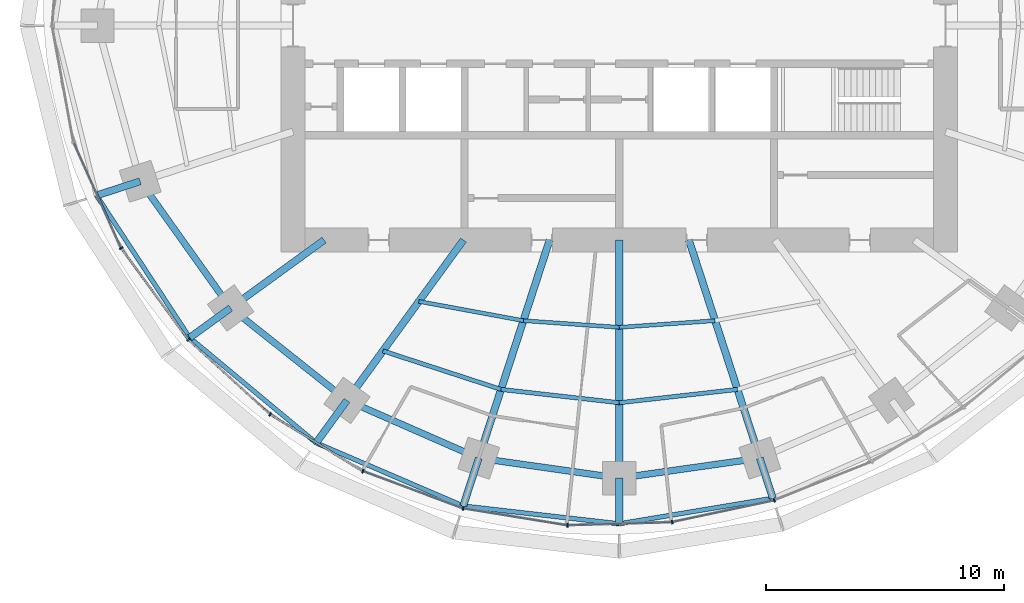
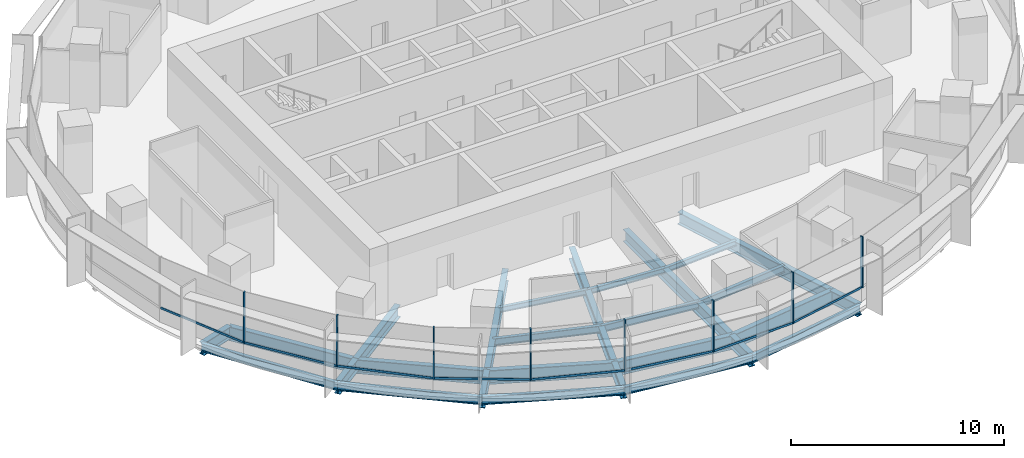
# One storey, part 2 of 15: 27 beams, 16 members, 2 elements without a shape of their own.
"""IFC4 building model written with IfcOpenShell, lengths in metres."""

from ifc_helpers import new_model, si_unit, direction, frame, origin, origin_2d, place, context, subcontext, project, spatial, rectangle, i_section, extrude, material, material_profile, profile_set, type_object, element, aggregate, save


model = new_model("IFC4")

# Units and contexts
model_context = context("Model", 3, precision=1e-05, world=origin(), true_north=direction((0.0, 1.0)))
body_context = subcontext(model_context, "Body", "Model", "MODEL_VIEW")
ifc_project = project(units=[si_unit("LENGTHUNIT", "METRE"), si_unit("AREAUNIT", "SQUARE_METRE"), si_unit("VOLUMEUNIT", "CUBIC_METRE"), si_unit("PLANEANGLEUNIT", "RADIAN"), si_unit("MASSUNIT", "GRAM", prefix="KILO")], contexts=[model_context])

# Site, building, storey
site_placement = place(None, origin())
site = spatial("IfcSite", under=ifc_project, at=site_placement, CompositionType="ELEMENT")
building_placement = place(site_placement, origin())
building = spatial("IfcBuilding", under=site, at=building_placement, Name="Marramba Exchange Tower", CompositionType="ELEMENT")
storey_placement = place(building_placement, frame((0.0, 0.0, 187.699951171875)))
storey = spatial("IfcBuildingStorey", under=building, at=storey_placement, Name="L45", CompositionType="ELEMENT", Elevation=187.699951171875)

# Beams
ifc_material_1 = material(Name="Steel AS/NZS 3679.2 grade 300", Category="steel")
ifc_material_profile_1 = material_profile(ifc_material_1, i_section(OverallWidth=0.300048828125, OverallDepth=0.699951171875, WebThickness=0.010009765625, FlangeThickness=0.031982421875, at=origin_2d()), Name="700WB173")
ifc_profile_set_1 = profile_set([ifc_material_profile_1], Name="Steel AS/NZS 3679.2 grade 300")
beam_type_1 = type_object("IfcBeamType", Name="Cantilever girder 700WB173", PredefinedType="BEAM", material=ifc_profile_set_1)
beam_1_placement = place(storey_placement, frame((-20.109375, -6.533935546875, -0.510009765625), z_axis=(-0.951071238541, -0.308971680287, 0.0), x_axis=(0.308971680287, -0.951071238541, 0.0)))
element("IfcBeam", 1, at=beam_1_placement, inside=storey, type_object=beam_type_1, Name="Cantilever girder L45 TC12", PredefinedType="BEAM", context=body_context, shape_type="SweptSolid", body=[
    extrude(i_section(OverallWidth=0.300048828125, OverallDepth=0.699951171875, WebThickness=0.010009765625, FlangeThickness=0.031982421875, at=origin_2d()), origin(), (0.0, 0.0, 1.0), 1.930419921875),
])
beam_2_placement = place(storey_placement, frame((-16.3154296875, -11.853759765625, -0.510009765625), z_axis=(-0.808969966943, -0.587849974555, 0.0), x_axis=(0.587849974555, -0.808969966943, 0.0)))
element("IfcBeam", 2, at=beam_2_placement, inside=storey, type_object=beam_type_1, Name="Cantilever girder L45 TC13", PredefinedType="BEAM", context=body_context, shape_type="SweptSolid", body=[
    extrude(i_section(OverallWidth=0.300048828125, OverallDepth=0.699951171875, WebThickness=0.010009765625, FlangeThickness=0.031982421875, at=origin_2d()), origin(), (0.0, 0.0, 1.0), 2.12109375),
])
beam_3_placement = place(storey_placement, frame((-11.430419921875, -15.732666015625, -0.510009765625), z_axis=(-0.587789596657, -0.809013837992, 0.0), x_axis=(0.809013837992, -0.587789596657, 0.0)))
element("IfcBeam", 3, at=beam_3_placement, inside=storey, type_object=beam_type_1, Name="Cantilever girder L45 TC14", PredefinedType="BEAM", context=body_context, shape_type="SweptSolid", body=[
    extrude(i_section(OverallWidth=0.300048828125, OverallDepth=0.699951171875, WebThickness=0.010009765625, FlangeThickness=0.031982421875, at=origin_2d()), origin(), (0.0, 0.0, 1.0), 2.203857421875),
])
beam_4_placement = place(storey_placement, frame((-5.899658203125, -18.156982421875, -0.510009765625), z_axis=(-0.308971068529, -0.951071437281, 0.0), x_axis=(0.951071437281, -0.308971068529, 0.0)))
element("IfcBeam", 4, at=beam_4_placement, inside=storey, type_object=beam_type_1, Name="Cantilever girder L45 TC15", PredefinedType="BEAM", context=body_context, shape_type="SweptSolid", body=[
    extrude(i_section(OverallWidth=0.300048828125, OverallDepth=0.699951171875, WebThickness=0.010009765625, FlangeThickness=0.031982421875, at=origin_2d()), origin(), (0.0, 0.0, 1.0), 2.112060546875),
])
beam_5_placement = place(storey_placement, frame((0.0, -18.99609375, -0.510009765625), z_axis=(0.0, -1.0, 0.0), x_axis=(1.0, 0.0, 0.0)))
element("IfcBeam", 5, at=beam_5_placement, inside=storey, type_object=beam_type_1, Name="Cantilever girder L45 TC16", PredefinedType="BEAM", context=body_context, shape_type="SweptSolid", body=[
    extrude(i_section(OverallWidth=0.300048828125, OverallDepth=0.699951171875, WebThickness=0.010009765625, FlangeThickness=0.031982421875, at=origin_2d()), origin(), (0.0, 0.0, 1.0), 1.917724609375),
])
beam_6_placement = place(storey_placement, frame((5.899658203125, -18.156982421875, -0.510009765625), z_axis=(0.308926813415, -0.951085813138, 0.0), x_axis=(0.951085813138, 0.308926813415, 0.0)))
element("IfcBeam", 6, at=beam_6_placement, inside=storey, type_object=beam_type_1, Name="Cantilever girder L45 TC17", PredefinedType="BEAM", context=body_context, shape_type="SweptSolid", body=[
    extrude(i_section(OverallWidth=0.300048828125, OverallDepth=0.699951171875, WebThickness=0.010009765625, FlangeThickness=0.031982421875, at=origin_2d()), origin(), (0.0, 0.0, 1.0), 1.767822265625),
])
ifc_material_2 = material(Name="Steel AS/NZS 3679.1 grade 300", Category="steel")
ifc_material_profile_2 = material_profile(ifc_material_2, i_section(OverallWidth=0.166015625, OverallDepth=0.306884765625, WebThickness=0.006591796875, FlangeThickness=0.01171875, FilletRadius=0.011474609375, at=origin_2d()), Name="310UB46.2")
ifc_profile_set_2 = profile_set([ifc_material_profile_2], Name="Steel AS/NZS 3679.1 grade 300")
beam_type_2 = type_object("IfcBeamType", Name="Floor joist 310UB46.2", PredefinedType="JOIST", material=ifc_profile_set_2)
beam_7_placement = place(storey_placement, frame((-8.41162109375, -11.57763671875, -0.3134765625), z_axis=(0.983455754421, -0.181148500119, 0.0), x_axis=(0.181148500119, 0.983455754421, 0.0)))
element("IfcBeam", 7, at=beam_7_placement, inside=storey, type_object=beam_type_2, Name="Joist L45 bay 14 row 1", PredefinedType="JOIST", context=body_context, shape_type="SweptSolid", body=[
    extrude(i_section(OverallWidth=0.166015625, OverallDepth=0.306884765625, WebThickness=0.006591796875, FlangeThickness=0.01171875, FilletRadius=0.011474609375, at=origin_2d()), origin(), (0.0, 0.0, 1.0), 4.4609375),
])
for number, where, z_axis, x_axis, name in (
    (8, (-4.0244140625, -12.3857421875, -0.3134765625), (0.99759625901, -0.069294328838, 0.0), (0.069294328838, 0.99759625901, 0.0), "Joist L45 bay 15 row 1"),
    (9, (0.0, -12.665283203125, -0.3134765625), (0.99759625901, 0.069294328838, 0.0), (-0.069294328838, 0.99759625901, 0.0), "Joist L45 bay 16 row 1"),
):
    element("IfcBeam", number, at=place(storey_placement, frame(where, z_axis=z_axis, x_axis=x_axis)), inside=storey, type_object=beam_type_2, Name=name, PredefinedType="JOIST", context=body_context, shape_type="SweptSolid", body=[
        extrude(i_section(OverallWidth=0.166015625, OverallDepth=0.306884765625, WebThickness=0.006591796875, FlangeThickness=0.01171875, FilletRadius=0.011474609375, at=origin_2d()), origin(), (0.0, 0.0, 1.0), 4.0341796875),
    ])
ifc_material_profile_3 = material_profile(ifc_material_2, i_section(OverallWidth=0.177978515625, OverallDepth=0.406005859375, WebThickness=0.0078125, FlangeThickness=0.0126953125, FilletRadius=0.011474609375, at=origin_2d()), Name="410UB59.7")
ifc_profile_set_3 = profile_set([ifc_material_profile_3], Name="Steel AS/NZS 3679.1 grade 300")
beam_type_3 = type_object("IfcBeamType", Name="Floor joist 410UB59.7", PredefinedType="JOIST", material=ifc_profile_set_3)
beam_8_placement = place(storey_placement, frame((-9.9208984375, -13.655029296875, -0.363037109375), z_axis=(0.950764024931, -0.309915744834, 0.0), x_axis=(0.309915744834, 0.950764024931, 0.0)))
element("IfcBeam", 10, at=beam_8_placement, inside=storey, type_object=beam_type_3, Name="Joist L45 bay 14 row 2", PredefinedType="JOIST", context=body_context, shape_type="SweptSolid", body=[
    extrude(i_section(OverallWidth=0.177978515625, OverallDepth=0.406005859375, WebThickness=0.0078125, FlangeThickness=0.0126953125, FilletRadius=0.011474609375, at=origin_2d()), origin(), (0.0, 0.0, 1.0), 5.2158203125),
])
for number, where, z_axis, x_axis, name in (
    (11, (-4.9619140625, -15.271484375, -0.363037109375), (0.993712018573, -0.111966174106, 0.0), (0.111966174106, 0.993712018573, 0.0), "Joist L45 bay 15 row 2"),
    (12, (0.0, -15.83056640625, -0.363037109375), (0.993712018573, 0.111966174106, 0.0), (-0.111966174106, 0.993712018573, 0.0), "Joist L45 bay 16 row 2"),
):
    element("IfcBeam", number, at=place(storey_placement, frame(where, z_axis=z_axis, x_axis=x_axis)), inside=storey, type_object=beam_type_3, Name=name, PredefinedType="JOIST", context=body_context, shape_type="SweptSolid", body=[
        extrude(i_section(OverallWidth=0.177978515625, OverallDepth=0.406005859375, WebThickness=0.0078125, FlangeThickness=0.0126953125, FilletRadius=0.011474609375, at=origin_2d()), origin(), (0.0, 0.0, 1.0), 4.993408203125),
    ])

# Curtain wall, members
ifc_material_3 = material(Name="Aluminium framing, bronze anodised", Category="aluminium")
curtain_wall_type = type_object("IfcCurtainWallType", Name="Office ribbon curtain wall", PredefinedType="USERDEFINED", material=ifc_material_3)
curtain_wall_1_placement = place(storey_placement, origin())
curtain_wall_1 = element("IfcCurtainWall", 13, at=curtain_wall_1_placement, inside=storey, type_object=curtain_wall_type, Name="Curtain wall CW4 L45 F16-F20", ObjectType="RIBBON CURTAIN WALL", PredefinedType="USERDEFINED")
ifc_material_4 = material(Name="Aluminium mullion, bronze anodised", Category="aluminium")
ifc_material_profile_4 = material_profile(ifc_material_4, rectangle(XDim=0.159912109375, YDim=0.06005859375, at=origin_2d()), Name="CW4 mullion 60x160")
ifc_profile_set_4 = profile_set([ifc_material_profile_4], Name="Aluminium mullion, bronze anodised")
member_type_1 = type_object("IfcMemberType", Name="Office ribbon curtain wall mullion", PredefinedType="MULLION", material=ifc_profile_set_4)
member_1_placement = place(storey_placement, frame((-20.910400390625, -9.342041015625, 0.800048828125), z_axis=(0.0, 0.0, 1.0), x_axis=(0.806508054547, 0.591223103363, 0.0)))
member_1 = element("IfcMember", 14, at=member_1_placement, type_object=member_type_1, Name="CW4 mullion 1", PredefinedType="MULLION", context=body_context, shape_type="SweptSolid", body=[
    extrude(rectangle(XDim=0.159912109375, YDim=0.06005859375, at=origin_2d()), origin(), (0.0, 0.0, 1.0), 2.93994140625),
])
member_2_placement = place(storey_placement, frame((-18.090087890625, -13.179443359375, 0.800048828125), z_axis=(0.0, 0.0, 1.0), x_axis=(0.67567103474, 0.737203264245, 0.0)))
member_2 = element("IfcMember", 15, at=member_2_placement, type_object=member_type_1, Name="CW4 mullion 1", PredefinedType="MULLION", context=body_context, shape_type="SweptSolid", body=[
    extrude(rectangle(XDim=0.159912109375, YDim=0.06005859375, at=origin_2d()), origin(), (0.0, 0.0, 1.0), 2.93994140625),
])
member_3_placement = place(storey_placement, frame((-14.655029296875, -16.320068359375, 0.800048828125), z_axis=(0.0, 0.0, 1.0), x_axis=(0.52305160869, 0.85230101176, 0.0)))
member_3 = element("IfcMember", 16, at=member_3_placement, type_object=member_type_1, Name="CW4 mullion 1", PredefinedType="MULLION", context=body_context, shape_type="SweptSolid", body=[
    extrude(rectangle(XDim=0.159912109375, YDim=0.06005859375, at=origin_2d()), origin(), (0.0, 0.0, 1.0), 2.93994140625),
])

curtain_wall_2_placement = place(storey_placement, origin())
curtain_wall_2 = element("IfcCurtainWall", 17, at=curtain_wall_2_placement, inside=storey, type_object=curtain_wall_type, Name="Curtain wall CW4 L45 F21-F25", ObjectType="RIBBON CURTAIN WALL", PredefinedType="USERDEFINED")
member_4_placement = place(storey_placement, frame((-10.76318359375, -18.70166015625, 0.800048828125), z_axis=(0.0, 0.0, 1.0), x_axis=(0.349459197687, 0.936951583142, 0.0)))
member_4 = element("IfcMember", 18, at=member_4_placement, type_object=member_type_1, Name="CW4 mullion 1", PredefinedType="MULLION", context=body_context, shape_type="SweptSolid", body=[
    extrude(rectangle(XDim=0.159912109375, YDim=0.06005859375, at=origin_2d()), origin(), (0.0, 0.0, 1.0), 2.93994140625),
])
member_5_placement = place(storey_placement, frame((-6.553466796875, -20.265625, 0.800048828125), z_axis=(0.0, 0.0, 1.0), x_axis=(0.161145726194, 0.986930623159, 0.0)))
member_5 = element("IfcMember", 19, at=member_5_placement, type_object=member_type_1, Name="CW4 mullion 1", PredefinedType="MULLION", context=body_context, shape_type="SweptSolid", body=[
    extrude(rectangle(XDim=0.159912109375, YDim=0.06005859375, at=origin_2d()), origin(), (0.0, 0.0, 1.0), 2.93994140625),
])
member_6_placement = place(storey_placement, frame((-2.174560546875, -20.974853515625, 0.800048828125), z_axis=(0.0, 0.0, 1.0), x_axis=(-0.029393451762, 0.99956791915, 0.0)))
member_6 = element("IfcMember", 20, at=member_6_placement, type_object=member_type_1, Name="CW4 mullion 1", PredefinedType="MULLION", context=body_context, shape_type="SweptSolid", body=[
    extrude(rectangle(XDim=0.159912109375, YDim=0.06005859375, at=origin_2d()), origin(), (0.0, 0.0, 1.0), 2.93994140625),
])
member_7_placement = place(storey_placement, frame((2.220458984375, -20.840087890625, 0.800048828125), z_axis=(0.0, 0.0, 1.0), x_axis=(-0.208332456608, 0.978058069607, 0.0)))
member_7 = element("IfcMember", 21, at=member_7_placement, type_object=member_type_1, Name="CW4 mullion 1", PredefinedType="MULLION", context=body_context, shape_type="SweptSolid", body=[
    extrude(rectangle(XDim=0.159912109375, YDim=0.06005859375, at=origin_2d()), origin(), (0.0, 0.0, 1.0), 2.93994140625),
])
member_8_placement = place(storey_placement, frame((6.504638671875, -19.922607421875, 0.800048828125), z_axis=(0.0, 0.0, 1.0), x_axis=(-0.367374724195, 0.93007301435, 0.0)))
member_8 = element("IfcMember", 22, at=member_8_placement, type_object=member_type_1, Name="CW4 mullion 1", PredefinedType="MULLION", context=body_context, shape_type="SweptSolid", body=[
    extrude(rectangle(XDim=0.159912109375, YDim=0.06005859375, at=origin_2d()), origin(), (0.0, 0.0, 1.0), 2.93994140625),
])

# Member
ifc_material_5 = material(Name="Aluminium transom, bronze anodised", Category="aluminium")
ifc_material_profile_5 = material_profile(ifc_material_5, rectangle(XDim=0.06005859375, YDim=0.1201171875, at=origin_2d()), Name="CW4 transom 60x120")
ifc_profile_set_5 = profile_set([ifc_material_profile_5], Name="Aluminium transom, bronze anodised")
member_type_2 = type_object("IfcMemberType", Name="Office ribbon curtain wall transom", PredefinedType="USERDEFINED", material=ifc_profile_set_5)
member_9_placement = place(storey_placement, frame((-22.888671875, -4.925048828125, 0.830078125), z_axis=(0.407541263131, -0.913186792965, 0.0), x_axis=(0.913186792965, 0.407541263131, 0.0)))
member_9 = element("IfcMember", 23, at=member_9_placement, type_object=member_type_2, Name="CW4 sill transom", ObjectType="TRANSOM", PredefinedType="USERDEFINED", context=body_context, shape_type="SweptSolid", body=[
    extrude(rectangle(XDim=0.06005859375, YDim=0.1201171875, at=origin_2d()), origin(), (0.0, 0.0, 1.0), 4.810546875),
])

member_10_placement = place(storey_placement, frame((-20.892578125, -9.3662109375, 0.830078125), z_axis=(0.591226373184, -0.806505657545, 0.0), x_axis=(0.806505657545, 0.591226373184, 0.0)))
member_10 = element("IfcMember", 24, at=member_10_placement, type_object=member_type_2, Name="CW4 sill transom", ObjectType="TRANSOM", PredefinedType="USERDEFINED", context=body_context, shape_type="SweptSolid", body=[
    extrude(rectangle(XDim=0.06005859375, YDim=0.1201171875, at=origin_2d()), origin(), (0.0, 0.0, 1.0), 4.702880859375),
])

member_11_placement = place(storey_placement, frame((-18.06787109375, -13.19970703125, 0.830078125), z_axis=(0.737176195283, -0.675700567639, 0.0), x_axis=(0.675700567639, 0.737176195283, 0.0)))
member_11 = element("IfcMember", 25, at=member_11_placement, type_object=member_type_2, Name="CW4 sill transom", ObjectType="TRANSOM", PredefinedType="USERDEFINED", context=body_context, shape_type="SweptSolid", body=[
    extrude(rectangle(XDim=0.06005859375, YDim=0.1201171875, at=origin_2d()), origin(), (0.0, 0.0, 1.0), 4.5947265625),
])

member_12_placement = place(storey_placement, frame((-14.62939453125, -16.335693359375, 0.830078125), z_axis=(0.852298011003, -0.523056498325, 0.0), x_axis=(0.523056498325, 0.852298011003, 0.0)))
member_12 = element("IfcMember", 26, at=member_12_placement, type_object=member_type_2, Name="CW4 sill transom", ObjectType="TRANSOM", PredefinedType="USERDEFINED", context=body_context, shape_type="SweptSolid", body=[
    extrude(rectangle(XDim=0.06005859375, YDim=0.1201171875, at=origin_2d()), origin(), (0.0, 0.0, 1.0), 4.503173828125),
])

aggregate(curtain_wall_1, [member_9, member_1, member_10, member_2, member_11, member_3, member_12])

member_13_placement = place(storey_placement, frame((-10.735107421875, -18.712158203125, 0.830078125), z_axis=(0.936954830677, -0.349450490444, 0.0), x_axis=(0.349450490444, 0.936954830677, 0.0)))
member_13 = element("IfcMember", 27, at=member_13_placement, type_object=member_type_2, Name="CW4 sill transom", ObjectType="TRANSOM", PredefinedType="USERDEFINED", context=body_context, shape_type="SweptSolid", body=[
    extrude(rectangle(XDim=0.06005859375, YDim=0.1201171875, at=origin_2d()), origin(), (0.0, 0.0, 1.0), 4.431396484375),
])

member_14_placement = place(storey_placement, frame((-6.52392578125, -20.2705078125, 0.830078125), z_axis=(0.986937225488, -0.161105285282, 0.0), x_axis=(0.161105285282, 0.986937225488, 0.0)))
member_14 = element("IfcMember", 28, at=member_14_placement, type_object=member_type_2, Name="CW4 sill transom", ObjectType="TRANSOM", PredefinedType="USERDEFINED", context=body_context, shape_type="SweptSolid", body=[
    extrude(rectangle(XDim=0.06005859375, YDim=0.1201171875, at=origin_2d()), origin(), (0.0, 0.0, 1.0), 4.37646484375),
])

member_15_placement = place(storey_placement, frame((-2.144775390625, -20.973876953125, 0.830078125), z_axis=(0.999568338005, 0.029379204529, 0.0), x_axis=(-0.029379204529, 0.999568338005, 0.0)))
member_15 = element("IfcMember", 29, at=member_15_placement, type_object=member_type_2, Name="CW4 sill transom", ObjectType="TRANSOM", PredefinedType="USERDEFINED", context=body_context, shape_type="SweptSolid", body=[
    extrude(rectangle(XDim=0.06005859375, YDim=0.1201171875, at=origin_2d()), origin(), (0.0, 0.0, 1.0), 4.337890625),
])

member_16_placement = place(storey_placement, frame((2.249755859375, -20.833984375, 0.830078125), z_axis=(0.978057951839, 0.208333009494, 0.0), x_axis=(-0.208333009494, 0.978057951839, 0.0)))
member_16 = element("IfcMember", 30, at=member_16_placement, type_object=member_type_2, Name="CW4 sill transom", ObjectType="TRANSOM", PredefinedType="USERDEFINED", context=body_context, shape_type="SweptSolid", body=[
    extrude(rectangle(XDim=0.06005859375, YDim=0.1201171875, at=origin_2d()), origin(), (0.0, 0.0, 1.0), 4.32177734375),
])

aggregate(curtain_wall_2, [member_4, member_13, member_5, member_14, member_6, member_15, member_7, member_16, member_8])

# Beams
ifc_material_profile_6 = material_profile(ifc_material_1, i_section(OverallWidth=0.300048828125, OverallDepth=0.699951171875, WebThickness=0.010009765625, FlangeThickness=0.031982421875, at=origin_2d()), Name="700WB173")
ifc_profile_set_6 = profile_set([ifc_material_profile_6], Name="Steel AS/NZS 3679.2 grade 300")
beam_type_4 = type_object("IfcBeamType", Name="Radial girder 700WB173", PredefinedType="BEAM", material=ifc_profile_set_6)
beam_9_placement = place(storey_placement, frame((-12.387451171875, -9.0, -0.510009765625), z_axis=(-0.809025189606, -0.58777397236, 0.0), x_axis=(0.58777397236, -0.809025189606, 0.0)))
element("IfcBeam", 31, at=beam_9_placement, inside=storey, type_object=beam_type_4, Name="Radial girder L45 TC13", PredefinedType="BEAM", context=body_context, shape_type="SweptSolid", body=[
    extrude(i_section(OverallWidth=0.300048828125, OverallDepth=0.699951171875, WebThickness=0.010009765625, FlangeThickness=0.031982421875, at=origin_2d()), origin(), (0.0, 0.0, 1.0), 4.855224609375),
])
beam_10_placement = place(storey_placement, frame((-6.538818359375, -9.0, -0.510009765625), z_axis=(-0.587787877172, -0.809015087282, 0.0), x_axis=(0.809015087282, -0.587787877172, 0.0)))
element("IfcBeam", 32, at=beam_10_placement, inside=storey, type_object=beam_type_4, Name="Radial girder L45 TC14", PredefinedType="BEAM", context=body_context, shape_type="SweptSolid", body=[
    extrude(i_section(OverallWidth=0.300048828125, OverallDepth=0.699951171875, WebThickness=0.010009765625, FlangeThickness=0.031982421875, at=origin_2d()), origin(), (0.0, 0.0, 1.0), 8.322021484375),
])
beam_11_placement = place(storey_placement, frame((-2.92431640625, -9.0, -0.510009765625), z_axis=(-0.309022428985, -0.951054750466, 0.0), x_axis=(0.951054750466, -0.309022428985, 0.0)))
element("IfcBeam", 33, at=beam_11_placement, inside=storey, type_object=beam_type_4, Name="Radial girder L45 TC15", PredefinedType="BEAM", context=body_context, shape_type="SweptSolid", body=[
    extrude(i_section(OverallWidth=0.300048828125, OverallDepth=0.699951171875, WebThickness=0.010009765625, FlangeThickness=0.031982421875, at=origin_2d()), origin(), (0.0, 0.0, 1.0), 9.628173828125),
])
beam_12_placement = place(storey_placement, frame((0.0, -9.0, -0.510009765625), z_axis=(0.0, -1.0, 0.0), x_axis=(1.0, 0.0, 0.0)))
element("IfcBeam", 34, at=beam_12_placement, inside=storey, type_object=beam_type_4, Name="Radial girder L45 TC16", PredefinedType="BEAM", context=body_context, shape_type="SweptSolid", body=[
    extrude(i_section(OverallWidth=0.300048828125, OverallDepth=0.699951171875, WebThickness=0.010009765625, FlangeThickness=0.031982421875, at=origin_2d()), origin(), (0.0, 0.0, 1.0), 9.99609375),
])
beam_13_placement = place(storey_placement, frame((2.92431640625, -9.0, -0.510009765625), z_axis=(0.309022428985, -0.951054750466, 0.0), x_axis=(0.951054750466, 0.309022428985, 0.0)))
element("IfcBeam", 35, at=beam_13_placement, inside=storey, type_object=beam_type_4, Name="Radial girder L45 TC17", PredefinedType="BEAM", context=body_context, shape_type="SweptSolid", body=[
    extrude(i_section(OverallWidth=0.300048828125, OverallDepth=0.699951171875, WebThickness=0.010009765625, FlangeThickness=0.031982421875, at=origin_2d()), origin(), (0.0, 0.0, 1.0), 9.628173828125),
])
ifc_material_profile_7 = material_profile(ifc_material_1, i_section(OverallWidth=0.27490234375, OverallDepth=0.800048828125, WebThickness=0.010009765625, FlangeThickness=0.02490234375, at=origin_2d()), Name="800WB168")
ifc_profile_set_7 = profile_set([ifc_material_profile_7], Name="Steel AS/NZS 3679.2 grade 300")
beam_type_5 = type_object("IfcBeamType", Name="Ring beam 800WB168", PredefinedType="SPANDREL", material=ifc_profile_set_7)
beam_14_placement = place(storey_placement, frame((-20.109375, -6.533935546875, -0.56005859375), z_axis=(0.580637181111, -0.814162430914, 0.0), x_axis=(0.814162430914, 0.580637181111, 0.0)))
element("IfcBeam", 36, at=beam_14_placement, inside=storey, type_object=beam_type_5, Name="Ring beam L45 TC12-TC13", PredefinedType="SPANDREL", context=body_context, shape_type="SweptSolid", body=[
    extrude(i_section(OverallWidth=0.27490234375, OverallDepth=0.800048828125, WebThickness=0.010009765625, FlangeThickness=0.02490234375, at=origin_2d()), origin(), (0.0, 0.0, 1.0), 6.5341796875),
])
beam_15_placement = place(storey_placement, frame((-16.3154296875, -11.853759765625, -0.56005859375), z_axis=(0.783139438128, -0.621846138887, 0.0), x_axis=(0.621846138887, 0.783139438128, 0.0)))
element("IfcBeam", 37, at=beam_15_placement, inside=storey, type_object=beam_type_5, Name="Ring beam L45 TC13-TC14", PredefinedType="SPANDREL", context=body_context, shape_type="SweptSolid", body=[
    extrude(i_section(OverallWidth=0.27490234375, OverallDepth=0.800048828125, WebThickness=0.010009765625, FlangeThickness=0.02490234375, at=origin_2d()), origin(), (0.0, 0.0, 1.0), 6.23779296875),
])
beam_16_placement = place(storey_placement, frame((-11.430419921875, -15.732666015625, -0.56005859375), z_axis=(0.915876892158, -0.4014592363, 0.0), x_axis=(0.4014592363, 0.915876892158, 0.0)))
element("IfcBeam", 38, at=beam_16_placement, inside=storey, type_object=beam_type_5, Name="Ring beam L45 TC14-TC15", PredefinedType="SPANDREL", context=body_context, shape_type="SweptSolid", body=[
    extrude(i_section(OverallWidth=0.27490234375, OverallDepth=0.800048828125, WebThickness=0.010009765625, FlangeThickness=0.02490234375, at=origin_2d()), origin(), (0.0, 0.0, 1.0), 6.038818359375),
])
for number, where, z_axis, x_axis, name in (
    (39, (-5.899658203125, -18.156982421875, -0.56005859375), (0.990036163016, -0.140813337152, 0.0), (0.140813337152, 0.990036163016, 0.0), "Ring beam L45 TC15-TC16"),
    (40, (0.0, -18.99609375, -0.56005859375), (0.990036163016, 0.140813337152, 0.0), (-0.140813337152, 0.990036163016, 0.0), "Ring beam L45 TC16-TC17"),
):
    element("IfcBeam", number, at=place(storey_placement, frame(where, z_axis=z_axis, x_axis=x_axis)), inside=storey, type_object=beam_type_5, Name=name, PredefinedType="SPANDREL", context=body_context, shape_type="SweptSolid", body=[
        extrude(i_section(OverallWidth=0.27490234375, OverallDepth=0.800048828125, WebThickness=0.010009765625, FlangeThickness=0.02490234375, at=origin_2d()), origin(), (0.0, 0.0, 1.0), 5.958984375),
    ])
ifc_material_profile_8 = material_profile(ifc_material_2, i_section(OverallWidth=0.19091796875, OverallDepth=0.4599609375, WebThickness=0.010009765625, FlangeThickness=0.01611328125, FilletRadius=0.011474609375, at=origin_2d()), Name="460UB82.1")
ifc_profile_set_8 = profile_set([ifc_material_profile_8], Name="Steel AS/NZS 3679.1 grade 300")
beam_type_6 = type_object("IfcBeamType", Name="Slab edge beam 460UB82.1", PredefinedType="SPANDREL", material=ifc_profile_set_8)
beam_17_placement = place(storey_placement, frame((-21.9453125, -7.13037109375, -0.389892578125), z_axis=(0.548275412052, -0.83629783722, 0.0), x_axis=(0.83629783722, 0.548275412052, 0.0)))
element("IfcBeam", 41, at=beam_17_placement, inside=storey, type_object=beam_type_6, Name="Slab edge beam L45 TC12-TC13", PredefinedType="SPANDREL", context=body_context, shape_type="SweptSolid", body=[
    extrude(i_section(OverallWidth=0.19091796875, OverallDepth=0.4599609375, WebThickness=0.010009765625, FlangeThickness=0.01611328125, FilletRadius=0.011474609375, at=origin_2d()), origin(), (0.0, 0.0, 1.0), 7.138916015625),
])
beam_18_placement = place(storey_placement, frame((-18.03125, -13.1005859375, -0.389892578125), z_axis=(0.768658895231, -0.639658895649, 0.0), x_axis=(0.639658895649, 0.768658895231, 0.0)))
element("IfcBeam", 42, at=beam_18_placement, inside=storey, type_object=beam_type_6, Name="Slab edge beam L45 TC13-TC14", PredefinedType="SPANDREL", context=body_context, shape_type="SweptSolid", body=[
    extrude(i_section(OverallWidth=0.19091796875, OverallDepth=0.4599609375, WebThickness=0.010009765625, FlangeThickness=0.01611328125, FilletRadius=0.011474609375, at=origin_2d()), origin(), (0.0, 0.0, 1.0), 6.902099609375),
])
beam_19_placement = place(storey_placement, frame((-12.725830078125, -17.515625, -0.389892578125), z_axis=(0.9189117964, -0.394463065999, 0.0), x_axis=(0.394463065999, 0.9189117964, 0.0)))
element("IfcBeam", 43, at=beam_19_placement, inside=storey, type_object=beam_type_6, Name="Slab edge beam L45 TC14-TC15", PredefinedType="SPANDREL", context=body_context, shape_type="SweptSolid", body=[
    extrude(i_section(OverallWidth=0.19091796875, OverallDepth=0.4599609375, WebThickness=0.010009765625, FlangeThickness=0.01611328125, FilletRadius=0.011474609375, at=origin_2d()), origin(), (0.0, 0.0, 1.0), 6.71826171875),
])
beam_20_placement = place(storey_placement, frame((-6.55224609375, -20.165771484375, -0.389892578125), z_axis=(0.993546030009, -0.113429653325, 0.0), x_axis=(0.113429653325, 0.993546030009, 0.0)))
element("IfcBeam", 44, at=beam_20_placement, inside=storey, type_object=beam_type_6, Name="Slab edge beam L45 TC15-TC16", PredefinedType="SPANDREL", context=body_context, shape_type="SweptSolid", body=[
    extrude(i_section(OverallWidth=0.19091796875, OverallDepth=0.4599609375, WebThickness=0.010009765625, FlangeThickness=0.01611328125, FilletRadius=0.011474609375, at=origin_2d()), origin(), (0.0, 0.0, 1.0), 6.5947265625),
])
beam_21_placement = place(storey_placement, frame((0.0, -20.913818359375, -0.389892578125), z_axis=(0.986365637189, 0.164568617219, 0.0), x_axis=(-0.164568617219, 0.986365637189, 0.0)))
element("IfcBeam", 45, at=beam_21_placement, inside=storey, type_object=beam_type_6, Name="Slab edge beam L45 TC16-TC17", PredefinedType="SPANDREL", context=body_context, shape_type="SweptSolid", body=[
    extrude(i_section(OverallWidth=0.19091796875, OverallDepth=0.4599609375, WebThickness=0.010009765625, FlangeThickness=0.01611328125, FilletRadius=0.011474609375, at=origin_2d()), origin(), (0.0, 0.0, 1.0), 6.534912109375),
])

save(model, "model.ifc")
